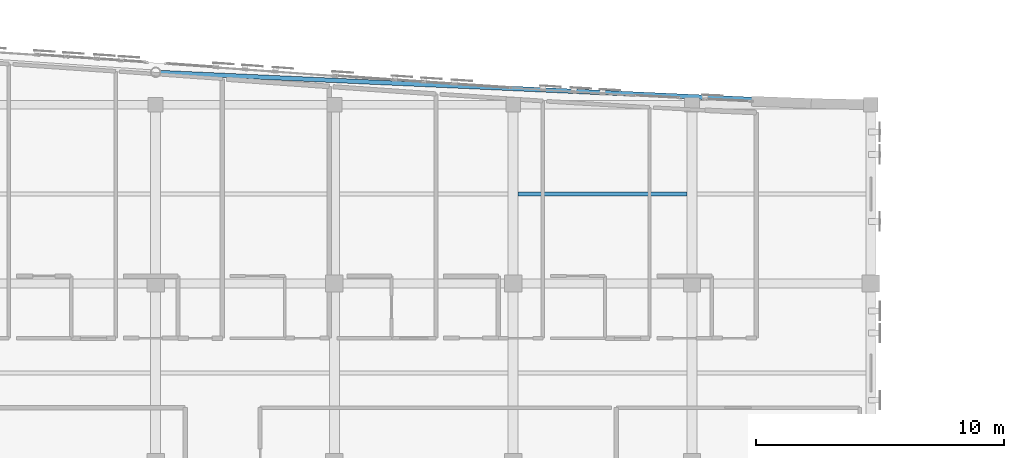
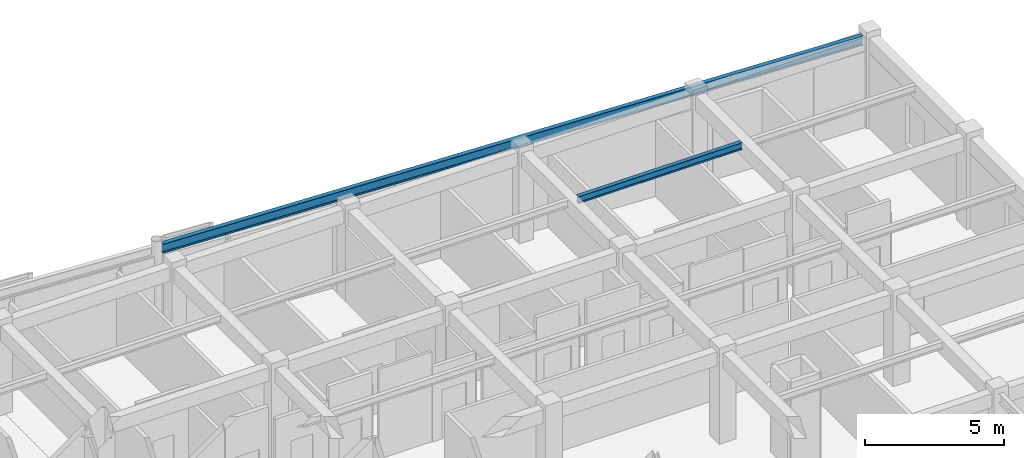
# One storey, part 61 of 113: 2 beams.
"""IFC4 building model written with IfcOpenShell, lengths in metres."""

from ifc_helpers import new_model, si_unit, direction, frame, origin, origin_2d, place, context, subcontext, project, spatial, i_section, extrude, material, material_profile, profile_set, type_object, element, save


model = new_model("IFC4")

# Units and contexts
model_context = context("Model", 3, precision=1e-05, world=origin(), true_north=direction((0.0, 1.0)))
body_context = subcontext(model_context, "Body", "Model", "MODEL_VIEW")
ifc_project = project(units=[si_unit("LENGTHUNIT", "METRE"), si_unit("AREAUNIT", "SQUARE_METRE"), si_unit("VOLUMEUNIT", "CUBIC_METRE"), si_unit("PLANEANGLEUNIT", "RADIAN"), si_unit("MASSUNIT", "GRAM", prefix="KILO")], contexts=[model_context])

# Site, building, storey
site_placement = place(None, origin())
site = spatial("IfcSite", under=ifc_project, at=site_placement, CompositionType="ELEMENT")
building_placement = place(site_placement, origin())
building = spatial("IfcBuilding", under=site, at=building_placement, Name="Carrowvane Square Congress Hotel", CompositionType="ELEMENT")
storey_placement = place(building_placement, frame((0.0, 0.0, 15.0)))
storey = spatial("IfcBuildingStorey", under=building, at=storey_placement, Name="L03", CompositionType="ELEMENT", Elevation=15.0)

# Beams
ifc_material_1 = material(Name="Steel S355", Category="steel")
ifc_material_profile_1 = material_profile(ifc_material_1, i_section(OverallWidth=0.165771484375, OverallDepth=0.306640625, WebThickness=0.006591796875, FlangeThickness=0.01171875, FilletRadius=0.0087890625, at=origin_2d()), Name="UKB 305x165x46")
ifc_profile_set_1 = profile_set([ifc_material_profile_1], Name="Steel S355")
beam_type_1 = type_object("IfcBeamType", Name="BM-ST-UKB305", PredefinedType="JOIST", material=ifc_profile_set_1)
beam_1_placement = place(storey_placement, frame((148.60009765625, 109.800048828125, 3.78662109375), z_axis=(1.0, 0.0, 0.0), x_axis=(0.0, 1.0, 0.0)))
element("IfcBeam", 1, at=beam_1_placement, inside=storey, type_object=beam_type_1, Name="L04 secondary joist 20-21", PredefinedType="JOIST", context=body_context, shape_type="SweptSolid", body=[
    extrude(i_section(OverallWidth=0.165771484375, OverallDepth=0.306640625, WebThickness=0.006591796875, FlangeThickness=0.01171875, FilletRadius=0.0087890625, at=origin_2d()), origin(), (0.0, 0.0, 1.0), 6.7998046875),
])
ifc_material_2 = material(Name="Steel S355", Category="steel")
ifc_material_profile_2 = material_profile(ifc_material_2, i_section(OverallWidth=0.1787109375, OverallDepth=0.409423828125, WebThickness=0.0087890625, FlangeThickness=0.014404296875, FilletRadius=0.01025390625, at=origin_2d()), Name="UKB 406x178x67")
ifc_profile_set_2 = profile_set([ifc_material_profile_2], Name="Steel S355")
beam_type_2 = type_object("IfcBeamType", Name="BM-ST-UKB406", PredefinedType="BEAM", material=ifc_profile_set_2)
beam_2_placement = place(storey_placement, frame((134.202880859375, 114.69677734375, 3.7353515625), z_axis=(0.998973403658, -0.04530053845, 0.0), x_axis=(0.04530053845, 0.998973403658, 0.0)))
element("IfcBeam", 2, at=beam_2_placement, inside=storey, type_object=beam_type_2, Name="L04 curved north spandrel", PredefinedType="BEAM", context=body_context, shape_type="SweptSolid", body=[
    extrude(i_section(OverallWidth=0.1787109375, OverallDepth=0.409423828125, WebThickness=0.0087890625, FlangeThickness=0.014404296875, FilletRadius=0.01025390625, at=origin_2d()), origin(), (0.0, 0.0, 1.0), 28.326416015625),
])

save(model, "model.ifc")
